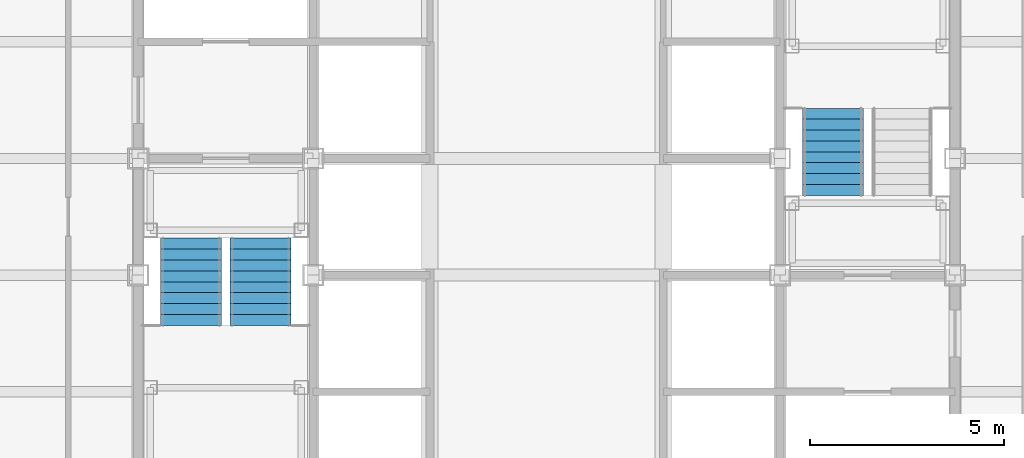
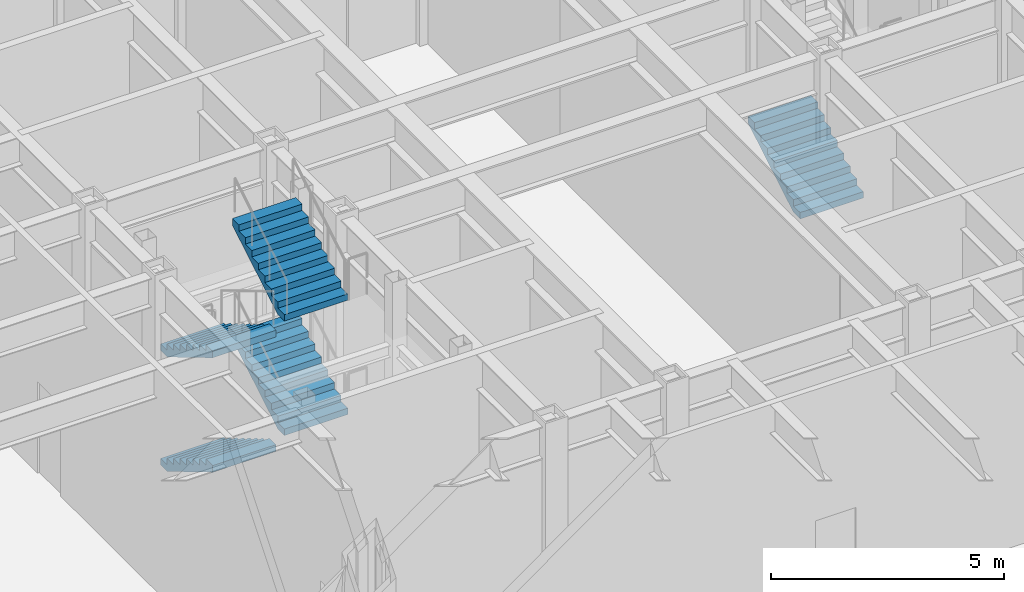
# One storey, part 20 of 29: 5 stair flights, 2 elements without a shape of their own.
"""IFC4 building model written with IfcOpenShell, lengths in metres."""

from ifc_helpers import new_model, si_unit, direction, frame, origin, place, context, subcontext, project, spatial, faceted_brep, material, type_object, element, aggregate, save


model = new_model("IFC4")

# Units and contexts
model_context = context("Model", 3, precision=1e-05, world=origin(), true_north=direction((0.0, 1.0)))
body_context = subcontext(model_context, "Body", "Model", "MODEL_VIEW")
ifc_project = project(units=[si_unit("LENGTHUNIT", "METRE"), si_unit("AREAUNIT", "SQUARE_METRE"), si_unit("VOLUMEUNIT", "CUBIC_METRE"), si_unit("PLANEANGLEUNIT", "RADIAN"), si_unit("MASSUNIT", "GRAM", prefix="KILO")], contexts=[model_context])

# Site, building, storey
site_placement = place(None, origin())
site = spatial("IfcSite", under=ifc_project, at=site_placement, CompositionType="ELEMENT")
building_placement = place(site_placement, origin())
building = spatial("IfcBuilding", under=site, at=building_placement, Name="Chuquiago Exchange Tower", CompositionType="ELEMENT")
storey_placement = place(building_placement, frame((0.0, 0.0, 251.699951171875)))
storey = spatial("IfcBuildingStorey", under=building, at=storey_placement, Name="L56", CompositionType="ELEMENT", Elevation=251.699951171875)

# Stair, stair flights
ifc_material_1 = material(Name="Concrete C30/37, precast", Category="concrete")
stair_type_1 = type_object("IfcStairType", Name="ST1 double half-turn stair 6000", PredefinedType="DOUBLE_RETURN_STAIR", material=ifc_material_1)
stair_1_placement = place(storey_placement, origin())
stair_1 = element("IfcStair", 1, at=stair_1_placement, inside=storey, type_object=stair_type_1, Name="Stair ST1 L56", PredefinedType="DOUBLE_RETURN_STAIR")
ifc_material_2 = material(Name="Concrete C30/37, precast", Category="concrete")
stair_flight_type = type_object("IfcStairFlightType", Name="ST-F flight 1570 for 6000 storey", PredefinedType="STRAIGHT", material=ifc_material_2)
stair_flight_1_placement = place(storey_placement, frame((13.360107421875, 21.949951171875, 0.0), z_axis=(0.0, 0.0, 1.0), x_axis=(0.0, -1.0, 0.0)))
stair_flight_1 = element("IfcStairFlight", 2, at=stair_flight_1_placement, type_object=stair_flight_type, Name="ST1 flight 1", NumberOfRisers=9, NumberOfTreads=8, PredefinedType="STRAIGHT", RiserHeight=0.166666667, TreadLength=0.28, context=body_context, shape_type="Brep", body=[
    faceted_brep([(0.0, 0.78515625, 0.0), (0.0, 0.78515625, 0.166748046875), (0.280029296875, 0.78515625, 0.166748046875), (0.280029296875, 0.78515625, 0.333251953125), (0.56005859375, 0.78515625, 0.333251953125), (0.56005859375, 0.78515625, 0.5), (0.840087890625, 0.78515625, 0.5), (0.840087890625, 0.78515625, 0.666748046875), (1.1201171875, 0.78515625, 0.666748046875), (1.1201171875, 0.78515625, 0.833251953125), (1.39990234375, 0.78515625, 0.833251953125), (1.39990234375, 0.78515625, 1.0), (1.679931640625, 0.78515625, 1.0), (1.679931640625, 0.78515625, 1.166748046875), (1.9599609375, 0.78515625, 1.166748046875), (1.9599609375, 0.78515625, 1.333251953125), (2.239990234375, 0.78515625, 1.333251953125), (2.239990234375, 0.78515625, 1.158935546875), (0.29296875, 0.78515625, 0.0), (0.29296875, -0.78515625, 0.0), (2.239990234375, -0.78515625, 1.158935546875), (2.239990234375, -0.78515625, 1.333251953125), (1.9599609375, -0.78515625, 1.333251953125), (1.9599609375, -0.78515625, 1.166748046875), (1.679931640625, -0.78515625, 1.166748046875), (1.679931640625, -0.78515625, 1.0), (1.39990234375, -0.78515625, 1.0), (1.39990234375, -0.78515625, 0.833251953125), (1.1201171875, -0.78515625, 0.833251953125), (1.1201171875, -0.78515625, 0.666748046875), (0.840087890625, -0.78515625, 0.666748046875), (0.840087890625, -0.78515625, 0.5), (0.56005859375, -0.78515625, 0.5), (0.56005859375, -0.78515625, 0.333251953125), (0.280029296875, -0.78515625, 0.333251953125), (0.280029296875, -0.78515625, 0.166748046875), (0.0, -0.78515625, 0.166748046875), (0.0, -0.78515625, 0.0), (0.0, 0.392578125, 0.0), (0.0, 0.392578125, 0.166748046875), (0.0, 0.0, 0.0), (0.0, 0.0, 0.166748046875), (0.0, -0.392578125, 0.0), (0.0, -0.392578125, 0.166748046875), (0.280029296875, 0.392578125, 0.166748046875), (0.280029296875, 0.0, 0.166748046875), (0.280029296875, -0.392578125, 0.166748046875), (0.280029296875, 0.392578125, 0.333251953125), (0.280029296875, 0.0, 0.333251953125), (0.280029296875, -0.392578125, 0.333251953125), (0.56005859375, 0.392578125, 0.333251953125), (0.56005859375, 0.0, 0.333251953125), (0.56005859375, -0.392578125, 0.333251953125), (0.56005859375, 0.392578125, 0.5), (0.56005859375, 0.0, 0.5), (0.56005859375, -0.392578125, 0.5), (0.840087890625, 0.392578125, 0.5), (0.840087890625, 0.0, 0.5), (0.840087890625, -0.392578125, 0.5), (0.840087890625, 0.392578125, 0.666748046875), (0.840087890625, 0.0, 0.666748046875), (0.840087890625, -0.392578125, 0.666748046875), (1.1201171875, 0.392578125, 0.666748046875), (1.1201171875, 0.0, 0.666748046875), (1.1201171875, -0.392578125, 0.666748046875), (1.1201171875, 0.392578125, 0.833251953125), (1.1201171875, 0.0, 0.833251953125), (1.1201171875, -0.392578125, 0.833251953125), (1.39990234375, 0.392578125, 0.833251953125), (1.39990234375, 0.0, 0.833251953125), (1.39990234375, -0.392578125, 0.833251953125), (1.39990234375, 0.392578125, 1.0), (1.39990234375, 0.0, 1.0), (1.39990234375, -0.392578125, 1.0), (1.679931640625, 0.392578125, 1.0), (1.679931640625, 0.0, 1.0), (1.679931640625, -0.392578125, 1.0), (1.679931640625, 0.392578125, 1.166748046875), (1.679931640625, 0.0, 1.166748046875), (1.679931640625, -0.392578125, 1.166748046875), (1.9599609375, 0.392578125, 1.166748046875), (1.9599609375, 0.0, 1.166748046875), (1.9599609375, -0.392578125, 1.166748046875), (1.9599609375, 0.392578125, 1.333251953125), (1.9599609375, 0.0, 1.333251953125), (1.9599609375, -0.392578125, 1.333251953125), (2.239990234375, 0.392578125, 1.333251953125), (2.239990234375, 0.0, 1.333251953125), (2.239990234375, -0.392578125, 1.333251953125), (2.239990234375, 0.392578125, 1.158935546875), (2.239990234375, 0.0, 1.158935546875), (2.239990234375, -0.392578125, 1.158935546875), (0.29296875, 0.392578125, 0.0), (0.29296875, 0.0, 0.0), (0.29296875, -0.392578125, 0.0)], [[[0, 1, 2, 3, 4, 5, 6, 7, 8, 9, 10, 11, 12, 13, 14, 15, 16, 17, 18]], [[19, 20, 21, 22, 23, 24, 25, 26, 27, 28, 29, 30, 31, 32, 33, 34, 35, 36, 37]], [[1, 0, 38, 39]], [[39, 38, 40, 41]], [[41, 40, 42, 43]], [[43, 42, 37, 36]], [[2, 1, 39, 44]], [[44, 39, 41, 45]], [[45, 41, 43, 46]], [[46, 43, 36, 35]], [[3, 2, 44, 47]], [[47, 44, 45, 48]], [[48, 45, 46, 49]], [[49, 46, 35, 34]], [[4, 3, 47, 50]], [[50, 47, 48, 51]], [[51, 48, 49, 52]], [[52, 49, 34, 33]], [[5, 4, 50, 53]], [[53, 50, 51, 54]], [[54, 51, 52, 55]], [[55, 52, 33, 32]], [[6, 5, 53, 56]], [[56, 53, 54, 57]], [[57, 54, 55, 58]], [[58, 55, 32, 31]], [[7, 6, 56, 59]], [[59, 56, 57, 60]], [[60, 57, 58, 61]], [[61, 58, 31, 30]], [[8, 7, 59, 62]], [[62, 59, 60, 63]], [[63, 60, 61, 64]], [[64, 61, 30, 29]], [[9, 8, 62, 65]], [[65, 62, 63, 66]], [[66, 63, 64, 67]], [[67, 64, 29, 28]], [[10, 9, 65, 68]], [[68, 65, 66, 69]], [[69, 66, 67, 70]], [[70, 67, 28, 27]], [[11, 10, 68, 71]], [[71, 68, 69, 72]], [[72, 69, 70, 73]], [[73, 70, 27, 26]], [[12, 11, 71, 74]], [[74, 71, 72, 75]], [[75, 72, 73, 76]], [[76, 73, 26, 25]], [[13, 12, 74, 77]], [[77, 74, 75, 78]], [[78, 75, 76, 79]], [[79, 76, 25, 24]], [[14, 13, 77, 80]], [[80, 77, 78, 81]], [[81, 78, 79, 82]], [[82, 79, 24, 23]], [[15, 14, 80, 83]], [[83, 80, 81, 84]], [[84, 81, 82, 85]], [[85, 82, 23, 22]], [[16, 15, 83, 86]], [[86, 83, 84, 87]], [[87, 84, 85, 88]], [[88, 85, 22, 21]], [[17, 16, 86, 89]], [[89, 86, 87, 90]], [[90, 87, 88, 91]], [[91, 88, 21, 20]], [[18, 17, 89, 92]], [[92, 89, 90, 93]], [[93, 90, 91, 94]], [[94, 91, 20, 19]], [[0, 18, 92, 38]], [[38, 92, 93, 40]], [[40, 93, 94, 42]], [[42, 94, 19, 37]]]),
])
stair_flight_2_placement = place(storey_placement, frame((15.139892578125, 19.7099609375, 1.5), z_axis=(0.0, 0.0, 1.0), x_axis=(0.0, 1.0, 0.0)))
stair_flight_2 = element("IfcStairFlight", 3, at=stair_flight_2_placement, type_object=stair_flight_type, Name="ST1 flight 2", NumberOfRisers=9, NumberOfTreads=8, PredefinedType="STRAIGHT", RiserHeight=0.166666667, TreadLength=0.28, context=body_context, shape_type="Brep", body=[
    faceted_brep([(0.0, 0.78515625, 0.0), (0.0, 0.78515625, 0.166748046875), (0.280029296875, 0.78515625, 0.166748046875), (0.280029296875, 0.78515625, 0.333251953125), (0.56005859375, 0.78515625, 0.333251953125), (0.56005859375, 0.78515625, 0.5), (0.840087890625, 0.78515625, 0.5), (0.840087890625, 0.78515625, 0.666748046875), (1.1201171875, 0.78515625, 0.666748046875), (1.1201171875, 0.78515625, 0.833251953125), (1.39990234375, 0.78515625, 0.833251953125), (1.39990234375, 0.78515625, 1.0), (1.679931640625, 0.78515625, 1.0), (1.679931640625, 0.78515625, 1.166748046875), (1.9599609375, 0.78515625, 1.166748046875), (1.9599609375, 0.78515625, 1.333251953125), (2.239990234375, 0.78515625, 1.333251953125), (2.239990234375, 0.78515625, 1.158935546875), (0.29296875, 0.78515625, 0.0), (0.29296875, -0.78515625, 0.0), (2.239990234375, -0.78515625, 1.158935546875), (2.239990234375, -0.78515625, 1.333251953125), (1.9599609375, -0.78515625, 1.333251953125), (1.9599609375, -0.78515625, 1.166748046875), (1.679931640625, -0.78515625, 1.166748046875), (1.679931640625, -0.78515625, 1.0), (1.39990234375, -0.78515625, 1.0), (1.39990234375, -0.78515625, 0.833251953125), (1.1201171875, -0.78515625, 0.833251953125), (1.1201171875, -0.78515625, 0.666748046875), (0.840087890625, -0.78515625, 0.666748046875), (0.840087890625, -0.78515625, 0.5), (0.56005859375, -0.78515625, 0.5), (0.56005859375, -0.78515625, 0.333251953125), (0.280029296875, -0.78515625, 0.333251953125), (0.280029296875, -0.78515625, 0.166748046875), (0.0, -0.78515625, 0.166748046875), (0.0, -0.78515625, 0.0), (0.0, 0.392578125, 0.0), (0.0, 0.392578125, 0.166748046875), (0.0, 0.0, 0.0), (0.0, 0.0, 0.166748046875), (0.0, -0.392578125, 0.0), (0.0, -0.392578125, 0.166748046875), (0.280029296875, 0.392578125, 0.166748046875), (0.280029296875, 0.0, 0.166748046875), (0.280029296875, -0.392578125, 0.166748046875), (0.280029296875, 0.392578125, 0.333251953125), (0.280029296875, 0.0, 0.333251953125), (0.280029296875, -0.392578125, 0.333251953125), (0.56005859375, 0.392578125, 0.333251953125), (0.56005859375, 0.0, 0.333251953125), (0.56005859375, -0.392578125, 0.333251953125), (0.56005859375, 0.392578125, 0.5), (0.56005859375, 0.0, 0.5), (0.56005859375, -0.392578125, 0.5), (0.840087890625, 0.392578125, 0.5), (0.840087890625, 0.0, 0.5), (0.840087890625, -0.392578125, 0.5), (0.840087890625, 0.392578125, 0.666748046875), (0.840087890625, 0.0, 0.666748046875), (0.840087890625, -0.392578125, 0.666748046875), (1.1201171875, 0.392578125, 0.666748046875), (1.1201171875, 0.0, 0.666748046875), (1.1201171875, -0.392578125, 0.666748046875), (1.1201171875, 0.392578125, 0.833251953125), (1.1201171875, 0.0, 0.833251953125), (1.1201171875, -0.392578125, 0.833251953125), (1.39990234375, 0.392578125, 0.833251953125), (1.39990234375, 0.0, 0.833251953125), (1.39990234375, -0.392578125, 0.833251953125), (1.39990234375, 0.392578125, 1.0), (1.39990234375, 0.0, 1.0), (1.39990234375, -0.392578125, 1.0), (1.679931640625, 0.392578125, 1.0), (1.679931640625, 0.0, 1.0), (1.679931640625, -0.392578125, 1.0), (1.679931640625, 0.392578125, 1.166748046875), (1.679931640625, 0.0, 1.166748046875), (1.679931640625, -0.392578125, 1.166748046875), (1.9599609375, 0.392578125, 1.166748046875), (1.9599609375, 0.0, 1.166748046875), (1.9599609375, -0.392578125, 1.166748046875), (1.9599609375, 0.392578125, 1.333251953125), (1.9599609375, 0.0, 1.333251953125), (1.9599609375, -0.392578125, 1.333251953125), (2.239990234375, 0.392578125, 1.333251953125), (2.239990234375, 0.0, 1.333251953125), (2.239990234375, -0.392578125, 1.333251953125), (2.239990234375, 0.392578125, 1.158935546875), (2.239990234375, 0.0, 1.158935546875), (2.239990234375, -0.392578125, 1.158935546875), (0.29296875, 0.392578125, 0.0), (0.29296875, 0.0, 0.0), (0.29296875, -0.392578125, 0.0)], [[[0, 1, 2, 3, 4, 5, 6, 7, 8, 9, 10, 11, 12, 13, 14, 15, 16, 17, 18]], [[19, 20, 21, 22, 23, 24, 25, 26, 27, 28, 29, 30, 31, 32, 33, 34, 35, 36, 37]], [[1, 0, 38, 39]], [[39, 38, 40, 41]], [[41, 40, 42, 43]], [[43, 42, 37, 36]], [[2, 1, 39, 44]], [[44, 39, 41, 45]], [[45, 41, 43, 46]], [[46, 43, 36, 35]], [[3, 2, 44, 47]], [[47, 44, 45, 48]], [[48, 45, 46, 49]], [[49, 46, 35, 34]], [[4, 3, 47, 50]], [[50, 47, 48, 51]], [[51, 48, 49, 52]], [[52, 49, 34, 33]], [[5, 4, 50, 53]], [[53, 50, 51, 54]], [[54, 51, 52, 55]], [[55, 52, 33, 32]], [[6, 5, 53, 56]], [[56, 53, 54, 57]], [[57, 54, 55, 58]], [[58, 55, 32, 31]], [[7, 6, 56, 59]], [[59, 56, 57, 60]], [[60, 57, 58, 61]], [[61, 58, 31, 30]], [[8, 7, 59, 62]], [[62, 59, 60, 63]], [[63, 60, 61, 64]], [[64, 61, 30, 29]], [[9, 8, 62, 65]], [[65, 62, 63, 66]], [[66, 63, 64, 67]], [[67, 64, 29, 28]], [[10, 9, 65, 68]], [[68, 65, 66, 69]], [[69, 66, 67, 70]], [[70, 67, 28, 27]], [[11, 10, 68, 71]], [[71, 68, 69, 72]], [[72, 69, 70, 73]], [[73, 70, 27, 26]], [[12, 11, 71, 74]], [[74, 71, 72, 75]], [[75, 72, 73, 76]], [[76, 73, 26, 25]], [[13, 12, 74, 77]], [[77, 74, 75, 78]], [[78, 75, 76, 79]], [[79, 76, 25, 24]], [[14, 13, 77, 80]], [[80, 77, 78, 81]], [[81, 78, 79, 82]], [[82, 79, 24, 23]], [[15, 14, 80, 83]], [[83, 80, 81, 84]], [[84, 81, 82, 85]], [[85, 82, 23, 22]], [[16, 15, 83, 86]], [[86, 83, 84, 87]], [[87, 84, 85, 88]], [[88, 85, 22, 21]], [[17, 16, 86, 89]], [[89, 86, 87, 90]], [[90, 87, 88, 91]], [[91, 88, 21, 20]], [[18, 17, 89, 92]], [[92, 89, 90, 93]], [[93, 90, 91, 94]], [[94, 91, 20, 19]], [[0, 18, 92, 38]], [[38, 92, 93, 40]], [[40, 93, 94, 42]], [[42, 94, 19, 37]]]),
])
stair_flight_3_placement = place(storey_placement, frame((13.360107421875, 21.949951171875, 3.0), z_axis=(0.0, 0.0, 1.0), x_axis=(0.0, -1.0, 0.0)))
stair_flight_3 = element("IfcStairFlight", 4, at=stair_flight_3_placement, type_object=stair_flight_type, Name="ST1 flight 3", NumberOfRisers=9, NumberOfTreads=8, PredefinedType="STRAIGHT", RiserHeight=0.166666667, TreadLength=0.28, context=body_context, shape_type="Brep", body=[
    faceted_brep([(0.0, 0.78515625, 0.0), (0.0, 0.78515625, 0.166748046875), (0.280029296875, 0.78515625, 0.166748046875), (0.280029296875, 0.78515625, 0.333251953125), (0.56005859375, 0.78515625, 0.333251953125), (0.56005859375, 0.78515625, 0.5), (0.840087890625, 0.78515625, 0.5), (0.840087890625, 0.78515625, 0.666748046875), (1.1201171875, 0.78515625, 0.666748046875), (1.1201171875, 0.78515625, 0.833251953125), (1.39990234375, 0.78515625, 0.833251953125), (1.39990234375, 0.78515625, 1.0), (1.679931640625, 0.78515625, 1.0), (1.679931640625, 0.78515625, 1.166748046875), (1.9599609375, 0.78515625, 1.166748046875), (1.9599609375, 0.78515625, 1.333251953125), (2.239990234375, 0.78515625, 1.333251953125), (2.239990234375, 0.78515625, 1.158935546875), (0.29296875, 0.78515625, 0.0), (0.29296875, -0.78515625, 0.0), (2.239990234375, -0.78515625, 1.158935546875), (2.239990234375, -0.78515625, 1.333251953125), (1.9599609375, -0.78515625, 1.333251953125), (1.9599609375, -0.78515625, 1.166748046875), (1.679931640625, -0.78515625, 1.166748046875), (1.679931640625, -0.78515625, 1.0), (1.39990234375, -0.78515625, 1.0), (1.39990234375, -0.78515625, 0.833251953125), (1.1201171875, -0.78515625, 0.833251953125), (1.1201171875, -0.78515625, 0.666748046875), (0.840087890625, -0.78515625, 0.666748046875), (0.840087890625, -0.78515625, 0.5), (0.56005859375, -0.78515625, 0.5), (0.56005859375, -0.78515625, 0.333251953125), (0.280029296875, -0.78515625, 0.333251953125), (0.280029296875, -0.78515625, 0.166748046875), (0.0, -0.78515625, 0.166748046875), (0.0, -0.78515625, 0.0), (0.0, 0.392578125, 0.0), (0.0, 0.392578125, 0.166748046875), (0.0, 0.0, 0.0), (0.0, 0.0, 0.166748046875), (0.0, -0.392578125, 0.0), (0.0, -0.392578125, 0.166748046875), (0.280029296875, 0.392578125, 0.166748046875), (0.280029296875, 0.0, 0.166748046875), (0.280029296875, -0.392578125, 0.166748046875), (0.280029296875, 0.392578125, 0.333251953125), (0.280029296875, 0.0, 0.333251953125), (0.280029296875, -0.392578125, 0.333251953125), (0.56005859375, 0.392578125, 0.333251953125), (0.56005859375, 0.0, 0.333251953125), (0.56005859375, -0.392578125, 0.333251953125), (0.56005859375, 0.392578125, 0.5), (0.56005859375, 0.0, 0.5), (0.56005859375, -0.392578125, 0.5), (0.840087890625, 0.392578125, 0.5), (0.840087890625, 0.0, 0.5), (0.840087890625, -0.392578125, 0.5), (0.840087890625, 0.392578125, 0.666748046875), (0.840087890625, 0.0, 0.666748046875), (0.840087890625, -0.392578125, 0.666748046875), (1.1201171875, 0.392578125, 0.666748046875), (1.1201171875, 0.0, 0.666748046875), (1.1201171875, -0.392578125, 0.666748046875), (1.1201171875, 0.392578125, 0.833251953125), (1.1201171875, 0.0, 0.833251953125), (1.1201171875, -0.392578125, 0.833251953125), (1.39990234375, 0.392578125, 0.833251953125), (1.39990234375, 0.0, 0.833251953125), (1.39990234375, -0.392578125, 0.833251953125), (1.39990234375, 0.392578125, 1.0), (1.39990234375, 0.0, 1.0), (1.39990234375, -0.392578125, 1.0), (1.679931640625, 0.392578125, 1.0), (1.679931640625, 0.0, 1.0), (1.679931640625, -0.392578125, 1.0), (1.679931640625, 0.392578125, 1.166748046875), (1.679931640625, 0.0, 1.166748046875), (1.679931640625, -0.392578125, 1.166748046875), (1.9599609375, 0.392578125, 1.166748046875), (1.9599609375, 0.0, 1.166748046875), (1.9599609375, -0.392578125, 1.166748046875), (1.9599609375, 0.392578125, 1.333251953125), (1.9599609375, 0.0, 1.333251953125), (1.9599609375, -0.392578125, 1.333251953125), (2.239990234375, 0.392578125, 1.333251953125), (2.239990234375, 0.0, 1.333251953125), (2.239990234375, -0.392578125, 1.333251953125), (2.239990234375, 0.392578125, 1.158935546875), (2.239990234375, 0.0, 1.158935546875), (2.239990234375, -0.392578125, 1.158935546875), (0.29296875, 0.392578125, 0.0), (0.29296875, 0.0, 0.0), (0.29296875, -0.392578125, 0.0)], [[[0, 1, 2, 3, 4, 5, 6, 7, 8, 9, 10, 11, 12, 13, 14, 15, 16, 17, 18]], [[19, 20, 21, 22, 23, 24, 25, 26, 27, 28, 29, 30, 31, 32, 33, 34, 35, 36, 37]], [[1, 0, 38, 39]], [[39, 38, 40, 41]], [[41, 40, 42, 43]], [[43, 42, 37, 36]], [[2, 1, 39, 44]], [[44, 39, 41, 45]], [[45, 41, 43, 46]], [[46, 43, 36, 35]], [[3, 2, 44, 47]], [[47, 44, 45, 48]], [[48, 45, 46, 49]], [[49, 46, 35, 34]], [[4, 3, 47, 50]], [[50, 47, 48, 51]], [[51, 48, 49, 52]], [[52, 49, 34, 33]], [[5, 4, 50, 53]], [[53, 50, 51, 54]], [[54, 51, 52, 55]], [[55, 52, 33, 32]], [[6, 5, 53, 56]], [[56, 53, 54, 57]], [[57, 54, 55, 58]], [[58, 55, 32, 31]], [[7, 6, 56, 59]], [[59, 56, 57, 60]], [[60, 57, 58, 61]], [[61, 58, 31, 30]], [[8, 7, 59, 62]], [[62, 59, 60, 63]], [[63, 60, 61, 64]], [[64, 61, 30, 29]], [[9, 8, 62, 65]], [[65, 62, 63, 66]], [[66, 63, 64, 67]], [[67, 64, 29, 28]], [[10, 9, 65, 68]], [[68, 65, 66, 69]], [[69, 66, 67, 70]], [[70, 67, 28, 27]], [[11, 10, 68, 71]], [[71, 68, 69, 72]], [[72, 69, 70, 73]], [[73, 70, 27, 26]], [[12, 11, 71, 74]], [[74, 71, 72, 75]], [[75, 72, 73, 76]], [[76, 73, 26, 25]], [[13, 12, 74, 77]], [[77, 74, 75, 78]], [[78, 75, 76, 79]], [[79, 76, 25, 24]], [[14, 13, 77, 80]], [[80, 77, 78, 81]], [[81, 78, 79, 82]], [[82, 79, 24, 23]], [[15, 14, 80, 83]], [[83, 80, 81, 84]], [[84, 81, 82, 85]], [[85, 82, 23, 22]], [[16, 15, 83, 86]], [[86, 83, 84, 87]], [[87, 84, 85, 88]], [[88, 85, 22, 21]], [[17, 16, 86, 89]], [[89, 86, 87, 90]], [[90, 87, 88, 91]], [[91, 88, 21, 20]], [[18, 17, 89, 92]], [[92, 89, 90, 93]], [[93, 90, 91, 94]], [[94, 91, 20, 19]], [[0, 18, 92, 38]], [[38, 92, 93, 40]], [[40, 93, 94, 42]], [[42, 94, 19, 37]]]),
])
stair_flight_4_placement = place(storey_placement, frame((15.139892578125, 19.7099609375, 4.5), z_axis=(0.0, 0.0, 1.0), x_axis=(0.0, 1.0, 0.0)))
stair_flight_4 = element("IfcStairFlight", 5, at=stair_flight_4_placement, type_object=stair_flight_type, Name="ST1 flight 4", NumberOfRisers=9, NumberOfTreads=8, PredefinedType="STRAIGHT", RiserHeight=0.166666667, TreadLength=0.28, context=body_context, shape_type="Brep", body=[
    faceted_brep([(0.0, 0.78515625, 0.0), (0.0, 0.78515625, 0.166748046875), (0.280029296875, 0.78515625, 0.166748046875), (0.280029296875, 0.78515625, 0.333251953125), (0.56005859375, 0.78515625, 0.333251953125), (0.56005859375, 0.78515625, 0.5), (0.840087890625, 0.78515625, 0.5), (0.840087890625, 0.78515625, 0.666748046875), (1.1201171875, 0.78515625, 0.666748046875), (1.1201171875, 0.78515625, 0.833251953125), (1.39990234375, 0.78515625, 0.833251953125), (1.39990234375, 0.78515625, 1.0), (1.679931640625, 0.78515625, 1.0), (1.679931640625, 0.78515625, 1.166748046875), (1.9599609375, 0.78515625, 1.166748046875), (1.9599609375, 0.78515625, 1.333251953125), (2.239990234375, 0.78515625, 1.333251953125), (2.239990234375, 0.78515625, 1.158935546875), (0.29296875, 0.78515625, 0.0), (0.29296875, -0.78515625, 0.0), (2.239990234375, -0.78515625, 1.158935546875), (2.239990234375, -0.78515625, 1.333251953125), (1.9599609375, -0.78515625, 1.333251953125), (1.9599609375, -0.78515625, 1.166748046875), (1.679931640625, -0.78515625, 1.166748046875), (1.679931640625, -0.78515625, 1.0), (1.39990234375, -0.78515625, 1.0), (1.39990234375, -0.78515625, 0.833251953125), (1.1201171875, -0.78515625, 0.833251953125), (1.1201171875, -0.78515625, 0.666748046875), (0.840087890625, -0.78515625, 0.666748046875), (0.840087890625, -0.78515625, 0.5), (0.56005859375, -0.78515625, 0.5), (0.56005859375, -0.78515625, 0.333251953125), (0.280029296875, -0.78515625, 0.333251953125), (0.280029296875, -0.78515625, 0.166748046875), (0.0, -0.78515625, 0.166748046875), (0.0, -0.78515625, 0.0), (0.0, 0.392578125, 0.0), (0.0, 0.392578125, 0.166748046875), (0.0, 0.0, 0.0), (0.0, 0.0, 0.166748046875), (0.0, -0.392578125, 0.0), (0.0, -0.392578125, 0.166748046875), (0.280029296875, 0.392578125, 0.166748046875), (0.280029296875, 0.0, 0.166748046875), (0.280029296875, -0.392578125, 0.166748046875), (0.280029296875, 0.392578125, 0.333251953125), (0.280029296875, 0.0, 0.333251953125), (0.280029296875, -0.392578125, 0.333251953125), (0.56005859375, 0.392578125, 0.333251953125), (0.56005859375, 0.0, 0.333251953125), (0.56005859375, -0.392578125, 0.333251953125), (0.56005859375, 0.392578125, 0.5), (0.56005859375, 0.0, 0.5), (0.56005859375, -0.392578125, 0.5), (0.840087890625, 0.392578125, 0.5), (0.840087890625, 0.0, 0.5), (0.840087890625, -0.392578125, 0.5), (0.840087890625, 0.392578125, 0.666748046875), (0.840087890625, 0.0, 0.666748046875), (0.840087890625, -0.392578125, 0.666748046875), (1.1201171875, 0.392578125, 0.666748046875), (1.1201171875, 0.0, 0.666748046875), (1.1201171875, -0.392578125, 0.666748046875), (1.1201171875, 0.392578125, 0.833251953125), (1.1201171875, 0.0, 0.833251953125), (1.1201171875, -0.392578125, 0.833251953125), (1.39990234375, 0.392578125, 0.833251953125), (1.39990234375, 0.0, 0.833251953125), (1.39990234375, -0.392578125, 0.833251953125), (1.39990234375, 0.392578125, 1.0), (1.39990234375, 0.0, 1.0), (1.39990234375, -0.392578125, 1.0), (1.679931640625, 0.392578125, 1.0), (1.679931640625, 0.0, 1.0), (1.679931640625, -0.392578125, 1.0), (1.679931640625, 0.392578125, 1.166748046875), (1.679931640625, 0.0, 1.166748046875), (1.679931640625, -0.392578125, 1.166748046875), (1.9599609375, 0.392578125, 1.166748046875), (1.9599609375, 0.0, 1.166748046875), (1.9599609375, -0.392578125, 1.166748046875), (1.9599609375, 0.392578125, 1.333251953125), (1.9599609375, 0.0, 1.333251953125), (1.9599609375, -0.392578125, 1.333251953125), (2.239990234375, 0.392578125, 1.333251953125), (2.239990234375, 0.0, 1.333251953125), (2.239990234375, -0.392578125, 1.333251953125), (2.239990234375, 0.392578125, 1.158935546875), (2.239990234375, 0.0, 1.158935546875), (2.239990234375, -0.392578125, 1.158935546875), (0.29296875, 0.392578125, 0.0), (0.29296875, 0.0, 0.0), (0.29296875, -0.392578125, 0.0)], [[[0, 1, 2, 3, 4, 5, 6, 7, 8, 9, 10, 11, 12, 13, 14, 15, 16, 17, 18]], [[19, 20, 21, 22, 23, 24, 25, 26, 27, 28, 29, 30, 31, 32, 33, 34, 35, 36, 37]], [[1, 0, 38, 39]], [[39, 38, 40, 41]], [[41, 40, 42, 43]], [[43, 42, 37, 36]], [[2, 1, 39, 44]], [[44, 39, 41, 45]], [[45, 41, 43, 46]], [[46, 43, 36, 35]], [[3, 2, 44, 47]], [[47, 44, 45, 48]], [[48, 45, 46, 49]], [[49, 46, 35, 34]], [[4, 3, 47, 50]], [[50, 47, 48, 51]], [[51, 48, 49, 52]], [[52, 49, 34, 33]], [[5, 4, 50, 53]], [[53, 50, 51, 54]], [[54, 51, 52, 55]], [[55, 52, 33, 32]], [[6, 5, 53, 56]], [[56, 53, 54, 57]], [[57, 54, 55, 58]], [[58, 55, 32, 31]], [[7, 6, 56, 59]], [[59, 56, 57, 60]], [[60, 57, 58, 61]], [[61, 58, 31, 30]], [[8, 7, 59, 62]], [[62, 59, 60, 63]], [[63, 60, 61, 64]], [[64, 61, 30, 29]], [[9, 8, 62, 65]], [[65, 62, 63, 66]], [[66, 63, 64, 67]], [[67, 64, 29, 28]], [[10, 9, 65, 68]], [[68, 65, 66, 69]], [[69, 66, 67, 70]], [[70, 67, 28, 27]], [[11, 10, 68, 71]], [[71, 68, 69, 72]], [[72, 69, 70, 73]], [[73, 70, 27, 26]], [[12, 11, 71, 74]], [[74, 71, 72, 75]], [[75, 72, 73, 76]], [[76, 73, 26, 25]], [[13, 12, 74, 77]], [[77, 74, 75, 78]], [[78, 75, 76, 79]], [[79, 76, 25, 24]], [[14, 13, 77, 80]], [[80, 77, 78, 81]], [[81, 78, 79, 82]], [[82, 79, 24, 23]], [[15, 14, 80, 83]], [[83, 80, 81, 84]], [[84, 81, 82, 85]], [[85, 82, 23, 22]], [[16, 15, 83, 86]], [[86, 83, 84, 87]], [[87, 84, 85, 88]], [[88, 85, 22, 21]], [[17, 16, 86, 89]], [[89, 86, 87, 90]], [[90, 87, 88, 91]], [[91, 88, 21, 20]], [[18, 17, 89, 92]], [[92, 89, 90, 93]], [[93, 90, 91, 94]], [[94, 91, 20, 19]], [[0, 18, 92, 38]], [[38, 92, 93, 40]], [[40, 93, 94, 42]], [[42, 94, 19, 37]]]),
])
aggregate(stair_1, [stair_flight_1, stair_flight_2, stair_flight_3, stair_flight_4])

# Stair, stair flight
ifc_material_3 = material(Name="Concrete C30/37, precast", Category="concrete")
stair_type_2 = type_object("IfcStairType", Name="ST2 double half-turn stair 6000", PredefinedType="DOUBLE_RETURN_STAIR", material=ifc_material_3)
stair_2_placement = place(storey_placement, origin())
stair_2 = element("IfcStair", 6, at=stair_2_placement, inside=storey, type_object=stair_type_2, Name="Stair ST2 L56", PredefinedType="DOUBLE_RETURN_STAIR")
stair_flight_5_placement = place(storey_placement, frame((29.860107421875, 23.050048828125, 0.0), z_axis=(0.0, 0.0, 1.0), x_axis=(0.0, 1.0, 0.0)))
stair_flight_5 = element("IfcStairFlight", 7, at=stair_flight_5_placement, type_object=stair_flight_type, Name="ST2 flight 1", NumberOfRisers=9, NumberOfTreads=8, PredefinedType="STRAIGHT", RiserHeight=0.166666667, TreadLength=0.28, context=body_context, shape_type="Brep", body=[
    faceted_brep([(0.0, 0.78515625, 0.0), (0.0, 0.78515625, 0.166748046875), (0.280029296875, 0.78515625, 0.166748046875), (0.280029296875, 0.78515625, 0.333251953125), (0.56005859375, 0.78515625, 0.333251953125), (0.56005859375, 0.78515625, 0.5), (0.840087890625, 0.78515625, 0.5), (0.840087890625, 0.78515625, 0.666748046875), (1.1201171875, 0.78515625, 0.666748046875), (1.1201171875, 0.78515625, 0.833251953125), (1.39990234375, 0.78515625, 0.833251953125), (1.39990234375, 0.78515625, 1.0), (1.679931640625, 0.78515625, 1.0), (1.679931640625, 0.78515625, 1.166748046875), (1.9599609375, 0.78515625, 1.166748046875), (1.9599609375, 0.78515625, 1.333251953125), (2.239990234375, 0.78515625, 1.333251953125), (2.239990234375, 0.78515625, 1.158935546875), (0.29296875, 0.78515625, 0.0), (0.29296875, -0.78515625, 0.0), (2.239990234375, -0.78515625, 1.158935546875), (2.239990234375, -0.78515625, 1.333251953125), (1.9599609375, -0.78515625, 1.333251953125), (1.9599609375, -0.78515625, 1.166748046875), (1.679931640625, -0.78515625, 1.166748046875), (1.679931640625, -0.78515625, 1.0), (1.39990234375, -0.78515625, 1.0), (1.39990234375, -0.78515625, 0.833251953125), (1.1201171875, -0.78515625, 0.833251953125), (1.1201171875, -0.78515625, 0.666748046875), (0.840087890625, -0.78515625, 0.666748046875), (0.840087890625, -0.78515625, 0.5), (0.56005859375, -0.78515625, 0.5), (0.56005859375, -0.78515625, 0.333251953125), (0.280029296875, -0.78515625, 0.333251953125), (0.280029296875, -0.78515625, 0.166748046875), (0.0, -0.78515625, 0.166748046875), (0.0, -0.78515625, 0.0), (0.0, 0.392578125, 0.0), (0.0, 0.392578125, 0.166748046875), (0.0, 0.0, 0.0), (0.0, 0.0, 0.166748046875), (0.0, -0.392578125, 0.0), (0.0, -0.392578125, 0.166748046875), (0.280029296875, 0.392578125, 0.166748046875), (0.280029296875, 0.0, 0.166748046875), (0.280029296875, -0.392578125, 0.166748046875), (0.280029296875, 0.392578125, 0.333251953125), (0.280029296875, 0.0, 0.333251953125), (0.280029296875, -0.392578125, 0.333251953125), (0.56005859375, 0.392578125, 0.333251953125), (0.56005859375, 0.0, 0.333251953125), (0.56005859375, -0.392578125, 0.333251953125), (0.56005859375, 0.392578125, 0.5), (0.56005859375, 0.0, 0.5), (0.56005859375, -0.392578125, 0.5), (0.840087890625, 0.392578125, 0.5), (0.840087890625, 0.0, 0.5), (0.840087890625, -0.392578125, 0.5), (0.840087890625, 0.392578125, 0.666748046875), (0.840087890625, 0.0, 0.666748046875), (0.840087890625, -0.392578125, 0.666748046875), (1.1201171875, 0.392578125, 0.666748046875), (1.1201171875, 0.0, 0.666748046875), (1.1201171875, -0.392578125, 0.666748046875), (1.1201171875, 0.392578125, 0.833251953125), (1.1201171875, 0.0, 0.833251953125), (1.1201171875, -0.392578125, 0.833251953125), (1.39990234375, 0.392578125, 0.833251953125), (1.39990234375, 0.0, 0.833251953125), (1.39990234375, -0.392578125, 0.833251953125), (1.39990234375, 0.392578125, 1.0), (1.39990234375, 0.0, 1.0), (1.39990234375, -0.392578125, 1.0), (1.679931640625, 0.392578125, 1.0), (1.679931640625, 0.0, 1.0), (1.679931640625, -0.392578125, 1.0), (1.679931640625, 0.392578125, 1.166748046875), (1.679931640625, 0.0, 1.166748046875), (1.679931640625, -0.392578125, 1.166748046875), (1.9599609375, 0.392578125, 1.166748046875), (1.9599609375, 0.0, 1.166748046875), (1.9599609375, -0.392578125, 1.166748046875), (1.9599609375, 0.392578125, 1.333251953125), (1.9599609375, 0.0, 1.333251953125), (1.9599609375, -0.392578125, 1.333251953125), (2.239990234375, 0.392578125, 1.333251953125), (2.239990234375, 0.0, 1.333251953125), (2.239990234375, -0.392578125, 1.333251953125), (2.239990234375, 0.392578125, 1.158935546875), (2.239990234375, 0.0, 1.158935546875), (2.239990234375, -0.392578125, 1.158935546875), (0.29296875, 0.392578125, 0.0), (0.29296875, 0.0, 0.0), (0.29296875, -0.392578125, 0.0)], [[[0, 1, 2, 3, 4, 5, 6, 7, 8, 9, 10, 11, 12, 13, 14, 15, 16, 17, 18]], [[19, 20, 21, 22, 23, 24, 25, 26, 27, 28, 29, 30, 31, 32, 33, 34, 35, 36, 37]], [[1, 0, 38, 39]], [[39, 38, 40, 41]], [[41, 40, 42, 43]], [[43, 42, 37, 36]], [[2, 1, 39, 44]], [[44, 39, 41, 45]], [[45, 41, 43, 46]], [[46, 43, 36, 35]], [[3, 2, 44, 47]], [[47, 44, 45, 48]], [[48, 45, 46, 49]], [[49, 46, 35, 34]], [[4, 3, 47, 50]], [[50, 47, 48, 51]], [[51, 48, 49, 52]], [[52, 49, 34, 33]], [[5, 4, 50, 53]], [[53, 50, 51, 54]], [[54, 51, 52, 55]], [[55, 52, 33, 32]], [[6, 5, 53, 56]], [[56, 53, 54, 57]], [[57, 54, 55, 58]], [[58, 55, 32, 31]], [[7, 6, 56, 59]], [[59, 56, 57, 60]], [[60, 57, 58, 61]], [[61, 58, 31, 30]], [[8, 7, 59, 62]], [[62, 59, 60, 63]], [[63, 60, 61, 64]], [[64, 61, 30, 29]], [[9, 8, 62, 65]], [[65, 62, 63, 66]], [[66, 63, 64, 67]], [[67, 64, 29, 28]], [[10, 9, 65, 68]], [[68, 65, 66, 69]], [[69, 66, 67, 70]], [[70, 67, 28, 27]], [[11, 10, 68, 71]], [[71, 68, 69, 72]], [[72, 69, 70, 73]], [[73, 70, 27, 26]], [[12, 11, 71, 74]], [[74, 71, 72, 75]], [[75, 72, 73, 76]], [[76, 73, 26, 25]], [[13, 12, 74, 77]], [[77, 74, 75, 78]], [[78, 75, 76, 79]], [[79, 76, 25, 24]], [[14, 13, 77, 80]], [[80, 77, 78, 81]], [[81, 78, 79, 82]], [[82, 79, 24, 23]], [[15, 14, 80, 83]], [[83, 80, 81, 84]], [[84, 81, 82, 85]], [[85, 82, 23, 22]], [[16, 15, 83, 86]], [[86, 83, 84, 87]], [[87, 84, 85, 88]], [[88, 85, 22, 21]], [[17, 16, 86, 89]], [[89, 86, 87, 90]], [[90, 87, 88, 91]], [[91, 88, 21, 20]], [[18, 17, 89, 92]], [[92, 89, 90, 93]], [[93, 90, 91, 94]], [[94, 91, 20, 19]], [[0, 18, 92, 38]], [[38, 92, 93, 40]], [[40, 93, 94, 42]], [[42, 94, 19, 37]]]),
])
aggregate(stair_2, [stair_flight_5])

save(model, "model.ifc")
